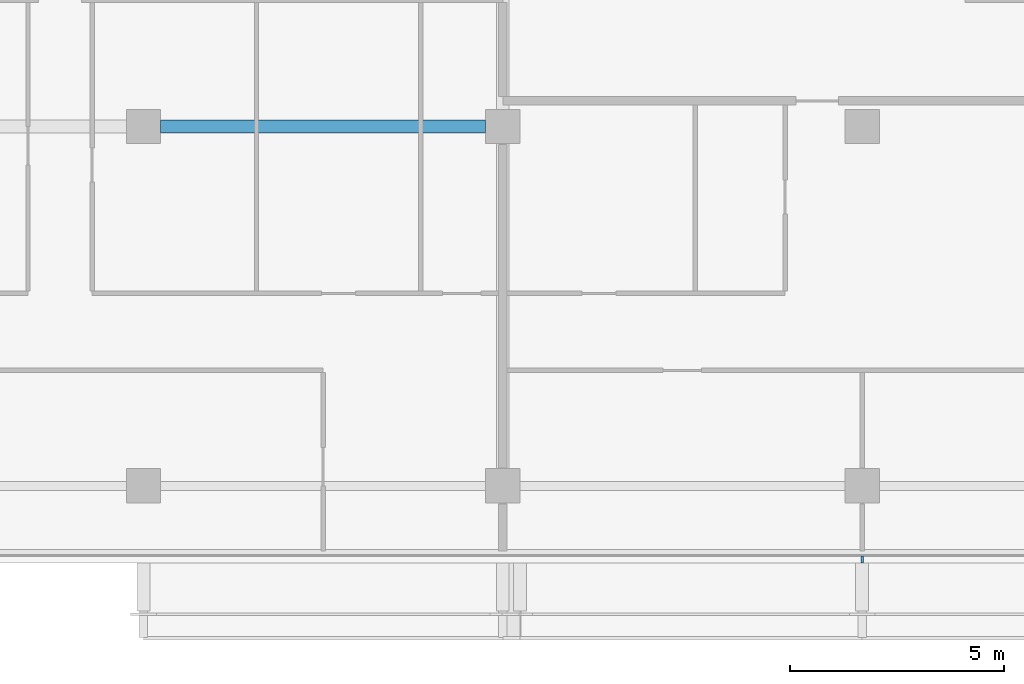
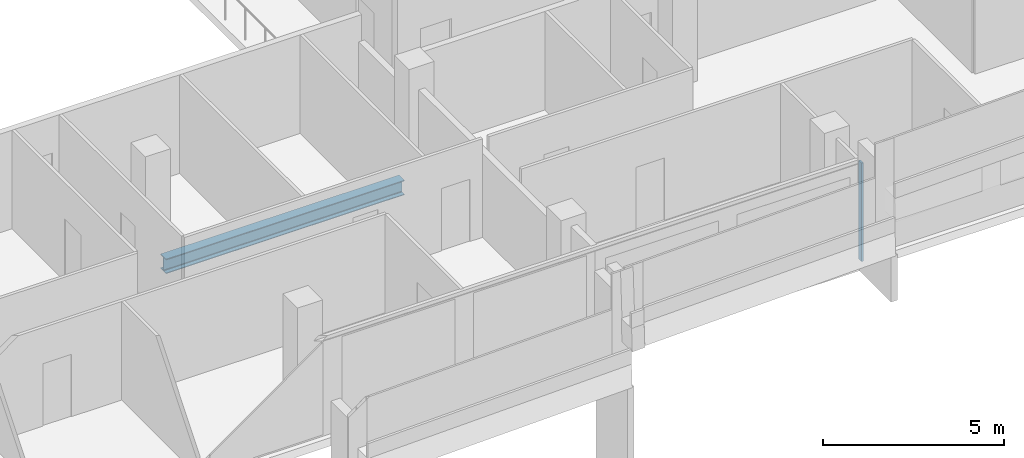
# One storey, part 6 of 27: 1 beam, 1 member, 1 element without a shape of its own.
"""IFC4 building model written with IfcOpenShell, lengths in metres."""

from ifc_helpers import new_model, si_unit, direction, frame, origin, origin_2d, place, context, subcontext, project, spatial, rectangle, i_section, extrude, material, material_profile, profile_set, type_object, element, aggregate, save


model = new_model("IFC4")

# Units and contexts
model_context = context("Model", 3, precision=1e-05, world=origin(), true_north=direction((0.0, 1.0)))
body_context = subcontext(model_context, "Body", "Model", "MODEL_VIEW")
ifc_project = project(units=[si_unit("LENGTHUNIT", "METRE"), si_unit("AREAUNIT", "SQUARE_METRE"), si_unit("VOLUMEUNIT", "CUBIC_METRE"), si_unit("PLANEANGLEUNIT", "RADIAN"), si_unit("MASSUNIT", "GRAM", prefix="KILO")], contexts=[model_context])

# Site, building, storey
site_placement = place(None, origin())
site = spatial("IfcSite", under=ifc_project, at=site_placement, CompositionType="ELEMENT")
building_placement = place(site_placement, origin())
building = spatial("IfcBuilding", under=site, at=building_placement, Name="Saffron Gate Tower", CompositionType="ELEMENT")
storey_placement = place(building_placement, frame((0.0, 0.0, 124.050048828125)))
storey = spatial("IfcBuildingStorey", under=building, at=storey_placement, Name="L29", CompositionType="ELEMENT", Elevation=124.050048828125)

# Beam
ifc_material_1 = material(Name="Structural steel S355", Category="steel")
ifc_material_profile_1 = material_profile(ifc_material_1, i_section(OverallWidth=0.300048828125, OverallDepth=0.489990234375, WebThickness=0.011962890625, FlangeThickness=0.02294921875, FilletRadius=0.027099609375, at=origin_2d()))
ifc_profile_set_1 = profile_set([ifc_material_profile_1], Name="Structural steel S355")
beam_type = type_object("IfcBeamType", Name="B8 HEA 500", PredefinedType="BEAM", material=ifc_profile_set_1)
beam_placement = place(storey_placement, frame((92.199951171875, 40.199951171875, -0.525146484375), z_axis=(1.0, 0.0, 0.0), x_axis=(0.0, 1.0, 0.0)))
element("IfcBeam", 1, at=beam_placement, inside=storey, type_object=beam_type, Name="B8 FLOOR GIRDER", PredefinedType="BEAM", context=body_context, shape_type="SweptSolid", body=[
    extrude(i_section(OverallWidth=0.300048828125, OverallDepth=0.489990234375, WebThickness=0.011962890625, FlangeThickness=0.02294921875, FilletRadius=0.027099609375, at=origin_2d()), origin(), (0.0, 0.0, 1.0), 7.60009765625),
])

# Curtain wall, member
ifc_material_2 = material(Name="Aluminium, bronze anodised", Category="aluminium")
curtain_wall_type = type_object("IfcCurtainWallType", Name="CWS1 curtain wall front facade", PredefinedType="NOTDEFINED", material=ifc_material_2)
curtain_wall_placement = place(storey_placement, origin())
curtain_wall = element("IfcCurtainWall", 2, at=curtain_wall_placement, inside=storey, type_object=curtain_wall_type, Name="CWS1 run 1", PredefinedType="NOTDEFINED")
ifc_material_profile_2 = material_profile(ifc_material_2, rectangle(XDim=0.159912109375, YDim=0.06005859375, at=origin_2d()))
ifc_profile_set_2 = profile_set([ifc_material_profile_2], Name="Aluminium, bronze anodised")
member_type = type_object("IfcMemberType", Name="CWS1 mullion 60x160", PredefinedType="MULLION", material=ifc_profile_set_2)
member_placement = place(storey_placement, frame((108.60009765625, 30.080078125, 0.0), z_axis=(0.0, 0.0, 1.0), x_axis=(0.0, 1.0, 0.0)))
member = element("IfcMember", 3, at=member_placement, type_object=member_type, Name="CWS1 mullion 8", PredefinedType="MULLION", context=body_context, shape_type="SweptSolid", body=[
    extrude(rectangle(XDim=0.159912109375, YDim=0.06005859375, at=origin_2d()), origin(), (0.0, 0.0, 1.0), 3.320068359375),
])
aggregate(curtain_wall, [member])

save(model, "model.ifc")
